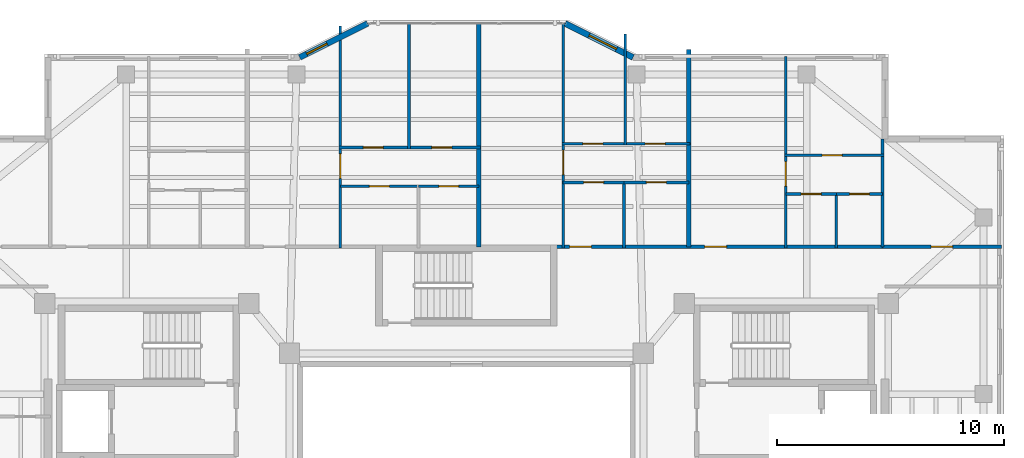
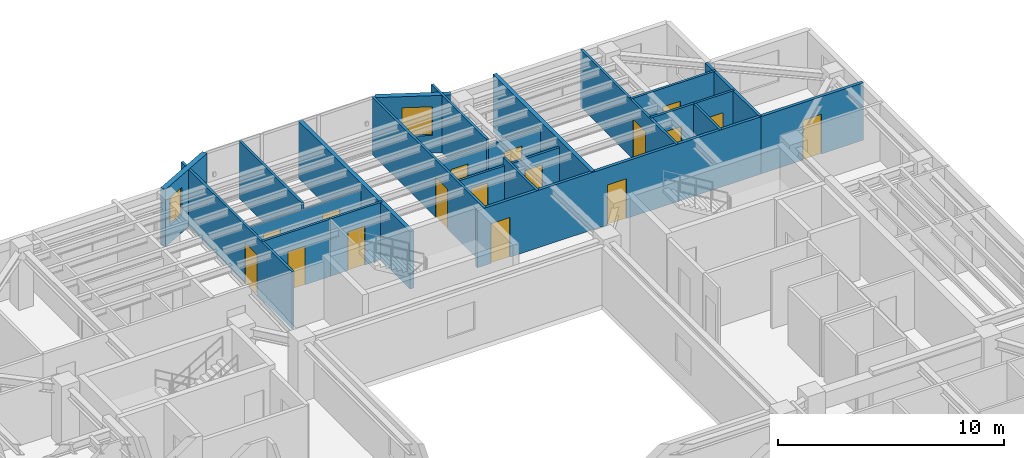
# One storey, part 8 of 12: 23 walls, 17 doors, 2 windows, 19 openings.
"""IFC4 building model written with IfcOpenShell, lengths in metres."""

import ifcopenshell
import ifcopenshell.guid

model = None  # the IFC model being written
_history = None  # IfcOwnerHistory: only IFC2X3 demands one
_inside = {}  # id of a spatial element -> (the spatial element, [elements in it])
_under = {}  # id of a project, library or spatial element -> (it, [spatial elements below it])
_declared = {}  # id of a project -> (the project, [libraries it declares])
_typed = {}  # id of a type object -> (the type object, [elements of that type])
_made_of = {}  # id of a material, layer set ... -> (it, [elements and type objects made of it])


def new_model(schema):
    """Start an empty IFC model of exactly this schema.

    Asked for "IFC4X3", IfcOpenShell would pick the latest addendum, in which some entities
    have other attributes; the version numbers below select the first issue.
    IFC2X3 requires an IfcOwnerHistory on every rooted entity: one is made here for all.
    """
    global model, _history
    if schema == "IFC4X3":
        model = ifcopenshell.file(schema_version=(4, 3, 0, 0))
    else:
        model = ifcopenshell.file(schema=schema)
    _inside.clear()
    _under.clear()
    _declared.clear()
    _typed.clear()
    _made_of.clear()
    _history = None
    if model.schema == "IFC2X3":
        org = make("IfcOrganization", Name="unknown")
        user = make(
            "IfcPersonAndOrganization",
            ThePerson=make("IfcPerson", FamilyName="unknown"),
            TheOrganization=org,
        )
        app = make(
            "IfcApplication",
            ApplicationDeveloper=org,
            Version="unknown",
            ApplicationFullName="unknown",
            ApplicationIdentifier="unknown",
        )
        _history = make(
            "IfcOwnerHistory",
            OwningUser=user,
            OwningApplication=app,
            ChangeAction="ADDED",
            CreationDate=0,
        )
    return model


def make(cls, **values):
    """One entity of the class cls with the attributes given. An attribute that is None is left unset."""
    return model.create_entity(
        cls, **{name: value for name, value in values.items() if value is not None}
    )


def rooted(cls, **values):
    """An entity with a GlobalId (a new one), such as an element, a storey or a relation."""
    return make(cls, GlobalId=ifcopenshell.guid.new(), OwnerHistory=_history, **values)


def si_unit(unit_type, name, prefix=None):
    """IfcSIUnit, for example si_unit("LENGTHUNIT", "METRE", prefix="MILLI")."""
    return make("IfcSIUnit", UnitType=unit_type, Prefix=prefix, Name=name)


def assignment(units):
    """IfcUnitAssignment: the units of a project."""
    return None if units is None else make("IfcUnitAssignment", Units=units)


def point(xyz):
    """IfcCartesianPoint."""
    return None if xyz is None else make("IfcCartesianPoint", Coordinates=xyz)


def direction(xyz):
    """IfcDirection."""
    return None if xyz is None else make("IfcDirection", DirectionRatios=xyz)


def frame(location, z_axis=None, x_axis=None):
    """IfcAxis2Placement3D, a coordinate frame: its origin and axes. An axis left out is left unset."""
    return make(
        "IfcAxis2Placement3D",
        Location=point(location),
        Axis=direction(z_axis),
        RefDirection=direction(x_axis),
    )


def frame_2d(location, x_axis=None):
    """IfcAxis2Placement2D, a coordinate frame in the plane: its origin and x axis."""
    return make(
        "IfcAxis2Placement2D", Location=point(location), RefDirection=direction(x_axis)
    )


def origin():
    """The frame at (0, 0, 0) with its axes left unset."""
    return frame((0.0, 0.0, 0.0))


def place(relative_to, where):
    """IfcLocalPlacement: puts the frame where relative to a parent placement (None: the world)."""
    return make(
        "IfcLocalPlacement", PlacementRelTo=relative_to, RelativePlacement=where
    )


def context(
    kind, dimensions, precision=None, world=None, true_north=None, identifier=None
):
    """IfcGeometricRepresentationContext, for example the 3D "Model" context."""
    return make(
        "IfcGeometricRepresentationContext",
        ContextIdentifier=identifier,
        ContextType=kind,
        CoordinateSpaceDimension=dimensions,
        Precision=precision,
        WorldCoordinateSystem=world,
        TrueNorth=true_north,
    )


def subcontext(parent, identifier, kind, view, scale=None):
    """IfcGeometricRepresentationSubContext, for example "Body" below "Model"."""
    return make(
        "IfcGeometricRepresentationSubContext",
        ContextIdentifier=identifier,
        ContextType=kind,
        ParentContext=parent,
        TargetScale=scale,
        TargetView=view,
    )


def project(units=None, contexts=None):
    """IfcProject with its units and contexts."""
    return rooted(
        "IfcProject",
        Name="project",
        RepresentationContexts=contexts,
        UnitsInContext=assignment(units),
    )


def spatial(cls, under=None, at=None, **own):
    """A site, building, storey or space (cls), placed at a placement, below another one or the project."""
    s = rooted(cls, ObjectPlacement=at, **own)
    if under is not None:
        _under.setdefault(under.id(), (under, []))[1].append(s)
    return s


def profile(cls, at=None, kind="AREA", **sizes):
    """A parametric profile (cls). Its sizes go by their IFC names, for example OverallWidth=200.0."""
    return make(cls, ProfileType=kind, Position=at, **sizes)


def rectangle(**sizes):
    """IfcRectangleProfileDef."""
    return profile("IfcRectangleProfileDef", **sizes)


def extrude(swept, where, along, depth):
    """IfcExtrudedAreaSolid: the profile swept, set in the frame where, extruded along a direction by depth."""
    return make(
        "IfcExtrudedAreaSolid",
        SweptArea=swept,
        Position=where,
        ExtrudedDirection=direction(along),
        Depth=depth,
    )


def shape(context_of_items, identifier, shape_type, items):
    """IfcShapeRepresentation: the items that make up one representation, for example the "Body"."""
    return make(
        "IfcShapeRepresentation",
        ContextOfItems=context_of_items,
        RepresentationIdentifier=identifier,
        RepresentationType=shape_type,
        Items=items,
    )


def material(Name=None, Category=None):
    """IfcMaterial."""
    return make("IfcMaterial", Name=Name, Category=Category)


def layer(
    of_material, thickness, ventilated=None, Name=None, Category=None, Priority=None
):
    """IfcMaterialLayer: one layer of a wall or slab, of a material (None: an air gap)."""
    return make(
        "IfcMaterialLayer",
        Material=of_material,
        LayerThickness=thickness,
        IsVentilated=ventilated,
        Name=Name,
        Category=Category,
        Priority=Priority,
    )


def layer_set(layers, Name=None):
    """IfcMaterialLayerSet."""
    return make("IfcMaterialLayerSet", MaterialLayers=layers, LayerSetName=Name)


def made_of(thing, what):
    """Note that an element or type object is made of a material, layer set ...; save() writes the relation."""
    if what is not None:
        _made_of.setdefault(what.id(), (what, []))[1].append(thing)
    return thing


def type_object(cls, material=None, **own):
    """A type object (cls), such as IfcWallType, which elements share."""
    return made_of(rooted(cls, **own), material)


def element(
    cls,
    number,
    at=None,
    inside=None,
    cuts=None,
    type_object=None,
    material=None,
    context=None,
    identifier="Body",
    shape_type=None,
    held_by="IfcProductDefinitionShape",
    body=None,
    shapes=None,
    **own,
):
    """One element of the class cls, such as IfcWall. Its Tag is "e" and its number.

    at: its placement. inside: the storey or other place that contains it. cuts: it is an
    opening in that element (IfcRelVoidsElement). A single representation is given by context,
    identifier, shape_type and body (its items); several are given by shapes. held_by: the class
    of the entity that holds the representations. save() writes the other relations.
    """
    e = rooted(cls, Tag="e%d" % number, ObjectPlacement=at, **own)
    if body is not None:
        shapes = [shape(context, identifier, shape_type, body)]
    if shapes is not None:
        e.Representation = make(held_by, Representations=shapes)
    if inside is not None:
        _inside.setdefault(inside.id(), (inside, []))[1].append(e)
    if cuts is not None:
        rooted(
            "IfcRelVoidsElement", RelatingBuildingElement=cuts, RelatedOpeningElement=e
        )
    if type_object is not None:
        _typed.setdefault(type_object.id(), (type_object, []))[1].append(e)
    return made_of(e, material)


def fill(opening, filler):
    """IfcRelFillsElement: the door or window that sits in an opening."""
    return rooted(
        "IfcRelFillsElement",
        RelatingOpeningElement=opening,
        RelatedBuildingElement=filler,
    )


def aggregate(whole, parts):
    """IfcRelAggregates: a whole, such as a stair, and the parts it consists of."""
    return rooted("IfcRelAggregates", RelatingObject=whole, RelatedObjects=parts)


def save(model, path):
    """Write the relations noted so far, then the file.

    IfcRelAggregates (storeys below a building ...), IfcRelContainedInSpatialStructure (elements
    in a storey), IfcRelDefinesByType, IfcRelAssociatesMaterial and IfcRelDeclares: one each for
    every whole, place, type object, material and project.
    """
    for whole, parts in _under.values():
        aggregate(whole, parts)
    for where, things in _inside.values():
        rooted(
            "IfcRelContainedInSpatialStructure",
            RelatedElements=things,
            RelatingStructure=where,
        )
    for kind, things in _typed.values():
        rooted("IfcRelDefinesByType", RelatedObjects=things, RelatingType=kind)
    for what, things in _made_of.values():
        rooted("IfcRelAssociatesMaterial", RelatedObjects=things, RelatingMaterial=what)
    for by, libraries in _declared.values():
        rooted("IfcRelDeclares", RelatingContext=by, RelatedDefinitions=libraries)
    model.write(path)


model = new_model("IFC4")

# Units and contexts
model_context = context("Model", 3, precision=1e-05, world=origin(), true_north=direction((0.0, 1.0)))
body_context = subcontext(model_context, "Body", "Model", "MODEL_VIEW")
ifc_project = project(units=[si_unit("LENGTHUNIT", "METRE"), si_unit("AREAUNIT", "SQUARE_METRE"), si_unit("VOLUMEUNIT", "CUBIC_METRE"), si_unit("PLANEANGLEUNIT", "RADIAN"), si_unit("MASSUNIT", "GRAM", prefix="KILO")], contexts=[model_context])

# Site, building, storey
site_placement = place(None, origin())
site = spatial("IfcSite", under=ifc_project, at=site_placement, CompositionType="ELEMENT")
building_placement = place(site_placement, origin())
building = spatial("IfcBuilding", under=site, at=building_placement, Name="Tarnavaz Court Tower", CompositionType="ELEMENT")
storey_placement = place(building_placement, frame((0.0, 0.0, 220.39990234375)))
storey = spatial("IfcBuildingStorey", under=building, at=storey_placement, Name="L60", CompositionType="ELEMENT", Elevation=220.39990234375)

# Wall, opening, window
ifc_material_1 = material(Name="Precast Concrete C40/50", Category="concrete")
ifc_layer_1 = layer(ifc_material_1, 0.260009765625)
ifc_layer_set_1 = layer_set([ifc_layer_1], Name="Precast Concrete C40/50")
wall_type_1 = type_object("IfcWallType", Name="WL-EXT-260", PredefinedType="SOLIDWALL", material=ifc_layer_set_1)
wall_1_placement = place(storey_placement, frame((-7.35009765625, 20.85009765625, 0.0), z_axis=(0.0, 0.0, 1.0), x_axis=(0.894427191, 0.4472135955, 0.0)))
wall_1 = element("IfcWall", 1, at=wall_1_placement, inside=storey, type_object=wall_type_1, Name="L60 Exterior Terracotta Facade Wall 06", PredefinedType="SOLIDWALL", context=body_context, shape_type="SweptSolid", body=[
    extrude(rectangle(XDim=3.35400390625, YDim=0.260009765625, at=frame_2d((1.677001953125, 0.0))), origin(), (0.0, 0.0, 1.0), 3.10009765625),
])
opening_1_placement = place(wall_1_placement, frame((0.345947265625, 0.0, 0.949951171875)))
opening_1 = element("IfcOpeningElement", 2, at=opening_1_placement, cuts=wall_1, Name="Opening W14", PredefinedType="OPENING", context=body_context, shape_type="SweptSolid", body=[
    extrude(rectangle(XDim=1.0, YDim=1.5, at=frame_2d((0.5, 0.75))), frame((0.0, 0.139892578125, 0.0), z_axis=(0.0, -1.0, 0.0), x_axis=(1.0, 0.0, 0.0)), (0.0, 0.0, 1.0), 0.280029296875),
])
ifc_material_2 = material(Name="Double-Glazed Solar Low-E Glass", Category="glass")
window_type_1 = type_object("IfcWindowType", Name="WN-APT-1000", PartitioningType="SINGLE_PANEL", PredefinedType="WINDOW", material=ifc_material_2)
window_1_placement = place(opening_1_placement, origin())
window_1 = element("IfcWindow", 3, at=window_1_placement, inside=storey, type_object=window_type_1, Name="L60 Flat 02 Living and Dining Room Window", OverallHeight=1.5, OverallWidth=1.0, PartitioningType="SINGLE_PANEL", PredefinedType="WINDOW", context=body_context, shape_type="SweptSolid", body=[
    extrude(rectangle(XDim=1.0, YDim=1.5, at=frame_2d((0.5, 0.75))), frame((0.0, 0.030029296875, 0.0), z_axis=(0.0, -1.0, 0.0), x_axis=(1.0, 0.0, 0.0)), (0.0, 0.0, 1.0), 0.06005859375),
])
fill(opening_1, window_1)

wall_2_placement = place(storey_placement, frame((4.35009765625, 22.35009765625, 0.0), z_axis=(0.0, 0.0, 1.0), x_axis=(0.894427191, -0.4472135955, 0.0)))
wall_2 = element("IfcWall", 4, at=wall_2_placement, inside=storey, type_object=wall_type_1, Name="L60 Exterior Terracotta Facade Wall 08", PredefinedType="SOLIDWALL", context=body_context, shape_type="SweptSolid", body=[
    extrude(rectangle(XDim=3.35400390625, YDim=0.260009765625, at=frame_2d((1.677001953125, 0.0))), origin(), (0.0, 0.0, 1.0), 3.10009765625),
])
opening_2_placement = place(wall_2_placement, frame((1.182373046875, 0.0, 0.949951171875)))
opening_2 = element("IfcOpeningElement", 5, at=opening_2_placement, cuts=wall_2, Name="Opening W04", PredefinedType="OPENING", context=body_context, shape_type="SweptSolid", body=[
    extrude(rectangle(XDim=1.35009765625, YDim=1.550048828125, at=frame_2d((0.675048828125, 0.77490234375))), frame((0.0, 0.139892578125, 0.0), z_axis=(0.0, -1.0, 0.0), x_axis=(1.0, 0.0, 0.0)), (0.0, 0.0, 1.0), 0.280029296875),
])
window_type_2 = type_object("IfcWindowType", Name="WN-APT-1350", PartitioningType="SINGLE_PANEL", PredefinedType="WINDOW", material=ifc_material_2)
window_2_placement = place(opening_2_placement, origin())
window_2 = element("IfcWindow", 6, at=window_2_placement, inside=storey, type_object=window_type_2, Name="L60 Flat 03 Principal Bedroom Window", OverallHeight=1.550048828125, OverallWidth=1.35009765625, PartitioningType="SINGLE_PANEL", PredefinedType="WINDOW", context=body_context, shape_type="SweptSolid", body=[
    extrude(rectangle(XDim=1.35009765625, YDim=1.550048828125, at=frame_2d((0.675048828125, 0.77490234375))), frame((0.0, 0.030029296875, 0.0), z_axis=(0.0, -1.0, 0.0), x_axis=(1.0, 0.0, 0.0)), (0.0, 0.0, 1.0), 0.06005859375),
])
fill(opening_2, window_2)

# Wall, openings, doors
ifc_material_3 = material(Name="Gypsum Fire-Board on Acoustic Metal Stud", Category="masonry")
ifc_layer_2 = layer(ifc_material_3, 0.14990234375)
ifc_layer_set_2 = layer_set([ifc_layer_2], Name="Gypsum Fire-Board on Acoustic Metal Stud")
wall_type_2 = type_object("IfcWallType", Name="WL-FIRE-150", PredefinedType="PARTITIONING", material=ifc_layer_set_2)
wall_3_placement = place(storey_placement, frame((3.85009765625, 12.5, 0.0), z_axis=(0.0, 0.0, 1.0), x_axis=(1.0, 0.0, 0.0)))
wall_3 = element("IfcWall", 7, at=wall_3_placement, inside=storey, type_object=wall_type_2, Name="L60 NE Wing Corridor Wall 056", PredefinedType="PARTITIONING", context=body_context, shape_type="SweptSolid", body=[
    extrude(rectangle(XDim=14.5, YDim=0.14990234375, at=frame_2d((7.25, 0.0))), origin(), (0.0, 0.0, 1.0), 3.10009765625),
])
opening_3_placement = place(wall_3_placement, frame((0.699951171875, 0.0, 0.0)))
opening_3 = element("IfcOpeningElement", 8, at=opening_3_placement, cuts=wall_3, Name="Opening D06", PredefinedType="OPENING", context=body_context, shape_type="SweptSolid", body=[
    extrude(rectangle(XDim=0.9599609375, YDim=2.14990234375, at=frame_2d((0.47998046875, 1.074951171875))), frame((0.0, 0.0849609375, 0.0), z_axis=(0.0, -1.0, 0.0), x_axis=(1.0, 0.0, 0.0)), (0.0, 0.0, 1.0), 0.169921875),
])
opening_4_placement = place(wall_3_placement, frame((6.656005859375, 0.0, 0.0)))
opening_4 = element("IfcOpeningElement", 9, at=opening_4_placement, cuts=wall_3, Name="Opening D06", PredefinedType="OPENING", context=body_context, shape_type="SweptSolid", body=[
    extrude(rectangle(XDim=0.9599609375, YDim=2.14990234375, at=frame_2d((0.47998046875, 1.074951171875))), frame((0.0, 0.0849609375, 0.0), z_axis=(0.0, -1.0, 0.0), x_axis=(1.0, 0.0, 0.0)), (0.0, 0.0, 1.0), 0.169921875),
])
ifc_material_4 = material(Name="Fire-Rated Hardwood Timber Core", Category="wood")
door_type_1 = type_object("IfcDoorType", Name="DR-FD60-950", OperationType="NOTDEFINED", PredefinedType="DOOR", material=ifc_material_4)
door_1_placement = place(opening_3_placement, origin())
door_1 = element("IfcDoor", 10, at=door_1_placement, inside=storey, type_object=door_type_1, Name="L60 Flat 03 Entrance Door", OperationType="SINGLE_SWING_RIGHT", OverallHeight=2.14990234375, OverallWidth=0.9599609375, PredefinedType="DOOR", context=body_context, shape_type="SweptSolid", body=[
    extrude(rectangle(XDim=0.9599609375, YDim=2.14990234375, at=frame_2d((0.47998046875, 1.074951171875))), frame((0.0, 0.02490234375, 0.0), z_axis=(0.0, -1.0, 0.0), x_axis=(1.0, 0.0, 0.0)), (0.0, 0.0, 1.0), 0.050048828125),
])
fill(opening_3, door_1)
door_2_placement = place(opening_4_placement, origin())
door_2 = element("IfcDoor", 11, at=door_2_placement, inside=storey, type_object=door_type_1, Name="L60 Flat 04 Entrance Door", OperationType="SINGLE_SWING_RIGHT", OverallHeight=2.14990234375, OverallWidth=0.9599609375, PredefinedType="DOOR", context=body_context, shape_type="SweptSolid", body=[
    extrude(rectangle(XDim=0.9599609375, YDim=2.14990234375, at=frame_2d((0.47998046875, 1.074951171875))), frame((0.0, 0.02490234375, 0.0), z_axis=(0.0, -1.0, 0.0), x_axis=(1.0, 0.0, 0.0)), (0.0, 0.0, 1.0), 0.050048828125),
])
fill(opening_4, door_2)

# Wall, opening, door
wall_4_placement = place(storey_placement, frame((18.35009765625, 12.5, 0.0), z_axis=(0.0, 0.0, 1.0), x_axis=(1.0, 0.0, 0.0)))
wall_4 = element("IfcWall", 12, at=wall_4_placement, inside=storey, type_object=wall_type_2, Name="L60 Interior Partition 109", PredefinedType="PARTITIONING", context=body_context, shape_type="SweptSolid", body=[
    extrude(rectangle(XDim=5.22998046875, YDim=0.14990234375, at=frame_2d((2.614990234375, 0.0))), origin(), (0.0, 0.0, 1.0), 3.10009765625),
])
opening_5_placement = place(wall_4_placement, frame((2.139892578125, 0.0, 0.0)))
opening_5 = element("IfcOpeningElement", 13, at=opening_5_placement, cuts=wall_4, Name="Opening D13", PredefinedType="OPENING", context=body_context, shape_type="SweptSolid", body=[
    extrude(rectangle(XDim=0.949951171875, YDim=2.14990234375, at=frame_2d((0.47509765625, 1.074951171875))), frame((0.0, 0.0849609375, 0.0), z_axis=(0.0, -1.0, 0.0), x_axis=(1.0, 0.0, 0.0)), (0.0, 0.0, 1.0), 0.169921875),
])
ifc_material_5 = material(Name="Engineered Oak Timber", Category="wood")
door_type_2 = type_object("IfcDoorType", Name="DR-INT-950", OperationType="NOTDEFINED", PredefinedType="DOOR", material=ifc_material_5)
door_3_placement = place(opening_5_placement, origin())
door_3 = element("IfcDoor", 14, at=door_3_placement, inside=storey, type_object=door_type_2, Name="L60 NE Sunroom Door", OperationType="SINGLE_SWING_RIGHT", OverallHeight=2.14990234375, OverallWidth=0.949951171875, PredefinedType="DOOR", context=body_context, shape_type="SweptSolid", body=[
    extrude(rectangle(XDim=0.949951171875, YDim=2.14990234375, at=frame_2d((0.47509765625, 1.074951171875))), frame((0.0, 0.02490234375, 0.0), z_axis=(0.0, -1.0, 0.0), x_axis=(1.0, 0.0, 0.0)), (0.0, 0.0, 1.0), 0.050048828125),
])
fill(opening_5, door_3)

# Walls
ifc_material_6 = material(Name="Autoclaved Aerated Concrete Blockwork", Category="masonry")
ifc_layer_3 = layer(ifc_material_6, 0.199951171875)
ifc_layer_set_3 = layer_set([ifc_layer_3], Name="Autoclaved Aerated Concrete Blockwork")
wall_type_3 = type_object("IfcWallType", Name="WL-FIRE-200", PredefinedType="SOLIDWALL", material=ifc_layer_set_3)
wall_5_placement = place(storey_placement, frame((0.550048828125, 12.5, 0.0), z_axis=(0.0, 0.0, 1.0), x_axis=(0.0, 1.0, 0.0)))
element("IfcWall", 15, at=wall_5_placement, inside=storey, type_object=wall_type_3, Name="L60 North Center Party Wall 061", PredefinedType="SOLIDWALL", context=body_context, shape_type="SweptSolid", body=[
    extrude(rectangle(XDim=9.8798828125, YDim=0.199951171875, at=frame_2d((4.93994140625, 0.0))), origin(), (0.0, 0.0, 1.0), 3.10009765625),
])
wall_6_placement = place(storey_placement, frame((9.805908203125, 12.5, 0.0), z_axis=(0.0, 0.0, 1.0), x_axis=(0.0, 1.0, 0.0)))
element("IfcWall", 16, at=wall_6_placement, inside=storey, type_object=wall_type_3, Name="L60 Party Wall 074", PredefinedType="SOLIDWALL", context=body_context, shape_type="SweptSolid", body=[
    extrude(rectangle(XDim=8.695068359375, YDim=0.199951171875, at=frame_2d((4.34765625, 0.0))), origin(), (0.0, 0.0, 1.0), 3.10009765625),
])

# Wall, opening, door
ifc_material_7 = material(Name="Moisture-Resistant Gypsum Board Partition", Category="masonry")
ifc_layer_4 = layer(ifc_material_7, 0.1201171875)
ifc_layer_set_4 = layer_set([ifc_layer_4], Name="Moisture-Resistant Gypsum Board Partition")
wall_type_4 = type_object("IfcWallType", Name="WL-PART-120", PredefinedType="PARTITIONING", material=ifc_layer_set_4)
wall_7_placement = place(storey_placement, frame((-5.56201171875, 12.43994140625, 0.0), z_axis=(0.0, 0.0, 1.0), x_axis=(0.0, 1.0, 0.0)))
wall_7 = element("IfcWall", 17, at=wall_7_placement, inside=storey, type_object=wall_type_4, Name="L60 Interior Partition 068", PredefinedType="PARTITIONING", context=body_context, shape_type="SweptSolid", body=[
    extrude(rectangle(XDim=9.801025390625, YDim=0.1201171875, at=frame_2d((4.900390625, 0.0))), origin(), (0.0, 0.0, 1.0), 3.10009765625),
])
opening_6_placement = place(wall_7_placement, frame((3.074951171875, 0.0, 0.0)))
opening_6 = element("IfcOpeningElement", 18, at=opening_6_placement, cuts=wall_7, Name="Opening D12", PredefinedType="OPENING", context=body_context, shape_type="SweptSolid", body=[
    extrude(rectangle(XDim=1.080078125, YDim=2.14990234375, at=frame_2d((0.5400390625, 1.074951171875))), frame((0.0, 0.070068359375, 0.0), z_axis=(0.0, -1.0, 0.0), x_axis=(1.0, 0.0, 0.0)), (0.0, 0.0, 1.0), 0.14013671875),
])
door_type_3 = type_object("IfcDoorType", Name="DR-INT-1100", OperationType="NOTDEFINED", PredefinedType="DOOR", material=ifc_material_5)
door_4_placement = place(opening_6_placement, origin())
door_4 = element("IfcDoor", 19, at=door_4_placement, inside=storey, type_object=door_type_3, Name="L60 Flat 02 Foyer Door", OperationType="SINGLE_SWING_LEFT", OverallHeight=2.14990234375, OverallWidth=1.080078125, PredefinedType="DOOR", context=body_context, shape_type="SweptSolid", body=[
    extrude(rectangle(XDim=1.080078125, YDim=2.14990234375, at=frame_2d((0.5400390625, 1.074951171875))), frame((0.0, 0.02490234375, 0.0), z_axis=(0.0, -1.0, 0.0), x_axis=(1.0, 0.0, 0.0)), (0.0, 0.0, 1.0), 0.050048828125),
])
fill(opening_6, door_4)

wall_8_placement = place(storey_placement, frame((-5.56201171875, 15.169921875, 0.0), z_axis=(0.0, 0.0, 1.0), x_axis=(1.0, 0.0, 0.0)))
wall_8 = element("IfcWall", 20, at=wall_8_placement, inside=storey, type_object=wall_type_4, Name="L60 Interior Partition 069", PredefinedType="PARTITIONING", context=body_context, shape_type="SweptSolid", body=[
    extrude(rectangle(XDim=3.449951171875, YDim=0.1201171875, at=frame_2d((1.72509765625, 0.0))), origin(), (0.0, 0.0, 1.0), 3.10009765625),
])
opening_7_placement = place(wall_8_placement, frame((1.284912109375, 0.0, 0.0)))
opening_7 = element("IfcOpeningElement", 21, at=opening_7_placement, cuts=wall_8, Name="Opening D14", PredefinedType="OPENING", context=body_context, shape_type="SweptSolid", body=[
    extrude(rectangle(XDim=0.8798828125, YDim=2.10009765625, at=frame_2d((0.43994140625, 1.050048828125))), frame((0.0, 0.070068359375, 0.0), z_axis=(0.0, -1.0, 0.0), x_axis=(1.0, 0.0, 0.0)), (0.0, 0.0, 1.0), 0.14013671875),
])
door_type_4 = type_object("IfcDoorType", Name="DR-INT-900", OperationType="NOTDEFINED", PredefinedType="DOOR", material=ifc_material_5)
door_5_placement = place(opening_7_placement, origin())
door_5 = element("IfcDoor", 22, at=door_5_placement, inside=storey, type_object=door_type_4, Name="L60 Flat 02 Kitchen Door", OperationType="SINGLE_SWING_RIGHT", OverallHeight=2.10009765625, OverallWidth=0.8798828125, PredefinedType="DOOR", context=body_context, shape_type="SweptSolid", body=[
    extrude(rectangle(XDim=0.8798828125, YDim=2.10009765625, at=frame_2d((0.43994140625, 1.050048828125))), frame((0.0, 0.02490234375, 0.0), z_axis=(0.0, -1.0, 0.0), x_axis=(1.0, 0.0, 0.0)), (0.0, 0.0, 1.0), 0.050048828125),
])
fill(opening_7, door_5)

wall_9_placement = place(storey_placement, frame((-2.112060546875, 15.169921875, 0.0), z_axis=(0.0, 0.0, 1.0), x_axis=(1.0, 0.0, 0.0)))
wall_9 = element("IfcWall", 23, at=wall_9_placement, inside=storey, type_object=wall_type_4, Name="L60 Interior Partition 070", PredefinedType="PARTITIONING", context=body_context, shape_type="SweptSolid", body=[
    extrude(rectangle(XDim=2.662109375, YDim=0.1201171875, at=frame_2d((1.3310546875, 0.0))), origin(), (0.0, 0.0, 1.0), 3.10009765625),
])
opening_8_placement = place(wall_9_placement, frame((0.89111328125, 0.0, 0.0)))
opening_8 = element("IfcOpeningElement", 24, at=opening_8_placement, cuts=wall_9, Name="Opening D14", PredefinedType="OPENING", context=body_context, shape_type="SweptSolid", body=[
    extrude(rectangle(XDim=0.8798828125, YDim=2.10009765625, at=frame_2d((0.43994140625, 1.050048828125))), frame((0.0, 0.070068359375, 0.0), z_axis=(0.0, -1.0, 0.0), x_axis=(1.0, 0.0, 0.0)), (0.0, 0.0, 1.0), 0.14013671875),
])
door_6_placement = place(opening_8_placement, origin())
door_6 = element("IfcDoor", 25, at=door_6_placement, inside=storey, type_object=door_type_4, Name="L60 Flat 02 Bathroom Door", OperationType="SINGLE_SWING_LEFT", OverallHeight=2.10009765625, OverallWidth=0.8798828125, PredefinedType="DOOR", context=body_context, shape_type="SweptSolid", body=[
    extrude(rectangle(XDim=0.8798828125, YDim=2.10009765625, at=frame_2d((0.43994140625, 1.050048828125))), frame((0.0, 0.02490234375, 0.0), z_axis=(0.0, -1.0, 0.0), x_axis=(1.0, 0.0, 0.0)), (0.0, 0.0, 1.0), 0.050048828125),
])
fill(opening_8, door_6)

# Wall, openings, doors
wall_10_placement = place(storey_placement, frame((-5.6220703125, 16.8798828125, 0.0), z_axis=(0.0, 0.0, 1.0), x_axis=(1.0, 0.0, 0.0)))
wall_10 = element("IfcWall", 26, at=wall_10_placement, inside=storey, type_object=wall_type_4, Name="L60 Interior Partition 071", PredefinedType="PARTITIONING", context=body_context, shape_type="SweptSolid", body=[
    extrude(rectangle(XDim=6.232177734375, YDim=0.1201171875, at=frame_2d((3.1162109375, 0.0))), origin(), (0.0, 0.0, 1.0), 2.72509765625),
])
opening_9_placement = place(wall_10_placement, frame((1.072998046875, 0.0, 0.0)))
opening_9 = element("IfcOpeningElement", 27, at=opening_9_placement, cuts=wall_10, Name="Opening D14", PredefinedType="OPENING", context=body_context, shape_type="SweptSolid", body=[
    extrude(rectangle(XDim=0.8798828125, YDim=2.10009765625, at=frame_2d((0.43994140625, 1.050048828125))), frame((0.0, 0.070068359375, 0.0), z_axis=(0.0, -1.0, 0.0), x_axis=(1.0, 0.0, 0.0)), (0.0, 0.0, 1.0), 0.14013671875),
])
opening_10_placement = place(wall_10_placement, frame((4.09912109375, 0.0, 0.0)))
opening_10 = element("IfcOpeningElement", 28, at=opening_10_placement, cuts=wall_10, Name="Opening D14", PredefinedType="OPENING", context=body_context, shape_type="SweptSolid", body=[
    extrude(rectangle(XDim=0.8798828125, YDim=2.10009765625, at=frame_2d((0.43994140625, 1.050048828125))), frame((0.0, 0.070068359375, 0.0), z_axis=(0.0, -1.0, 0.0), x_axis=(1.0, 0.0, 0.0)), (0.0, 0.0, 1.0), 0.14013671875),
])
door_7_placement = place(opening_9_placement, origin())
door_7 = element("IfcDoor", 29, at=door_7_placement, inside=storey, type_object=door_type_4, Name="L60 Flat 02 Bedroom 1 Door", OperationType="SINGLE_SWING_RIGHT", OverallHeight=2.10009765625, OverallWidth=0.8798828125, PredefinedType="DOOR", context=body_context, shape_type="SweptSolid", body=[
    extrude(rectangle(XDim=0.8798828125, YDim=2.10009765625, at=frame_2d((0.43994140625, 1.050048828125))), frame((0.0, 0.02490234375, 0.0), z_axis=(0.0, -1.0, 0.0), x_axis=(1.0, 0.0, 0.0)), (0.0, 0.0, 1.0), 0.050048828125),
])
fill(opening_9, door_7)
door_8_placement = place(opening_10_placement, origin())
door_8 = element("IfcDoor", 30, at=door_8_placement, inside=storey, type_object=door_type_4, Name="L60 Flat 02 Bedroom 2 Door", OperationType="SINGLE_SWING_LEFT", OverallHeight=2.10009765625, OverallWidth=0.8798828125, PredefinedType="DOOR", context=body_context, shape_type="SweptSolid", body=[
    extrude(rectangle(XDim=0.8798828125, YDim=2.10009765625, at=frame_2d((0.43994140625, 1.050048828125))), frame((0.0, 0.02490234375, 0.0), z_axis=(0.0, -1.0, 0.0), x_axis=(1.0, 0.0, 0.0)), (0.0, 0.0, 1.0), 0.050048828125),
])
fill(opening_10, door_8)

# Wall
wall_11_placement = place(storey_placement, frame((-2.535888671875, 16.820068359375, 0.0), z_axis=(0.0, 0.0, 1.0), x_axis=(0.0, 1.0, 0.0)))
element("IfcWall", 31, at=wall_11_placement, inside=storey, type_object=wall_type_4, Name="L60 Interior Partition 073", PredefinedType="PARTITIONING", context=body_context, shape_type="SweptSolid", body=[
    extrude(rectangle(XDim=5.559814453125, YDim=0.1201171875, at=frame_2d((2.77978515625, 0.0))), origin(), (0.0, 0.0, 1.0), 3.10009765625),
])

# Wall, opening, door
wall_12_placement = place(storey_placement, frame((4.263916015625, 12.43994140625, 0.0), z_axis=(0.0, 0.0, 1.0), x_axis=(0.0, 1.0, 0.0)))
wall_12 = element("IfcWall", 32, at=wall_12_placement, inside=storey, type_object=wall_type_4, Name="L60 Interior Partition 075", PredefinedType="PARTITIONING", context=body_context, shape_type="SweptSolid", body=[
    extrude(rectangle(XDim=9.93994140625, YDim=0.1201171875, at=frame_2d((4.969970703125, 0.0))), origin(), (0.0, 0.0, 1.0), 3.10009765625),
])
opening_11_placement = place(wall_12_placement, frame((3.2451171875, 0.0, 0.0)))
opening_11 = element("IfcOpeningElement", 33, at=opening_11_placement, cuts=wall_12, Name="Opening D12", PredefinedType="OPENING", context=body_context, shape_type="SweptSolid", body=[
    extrude(rectangle(XDim=1.080078125, YDim=2.14990234375, at=frame_2d((0.5400390625, 1.074951171875))), frame((0.0, 0.070068359375, 0.0), z_axis=(0.0, -1.0, 0.0), x_axis=(1.0, 0.0, 0.0)), (0.0, 0.0, 1.0), 0.14013671875),
])
door_9_placement = place(opening_11_placement, origin())
door_9 = element("IfcDoor", 34, at=door_9_placement, inside=storey, type_object=door_type_3, Name="L60 Flat 03 Foyer Door", OperationType="SINGLE_SWING_LEFT", OverallHeight=2.14990234375, OverallWidth=1.080078125, PredefinedType="DOOR", context=body_context, shape_type="SweptSolid", body=[
    extrude(rectangle(XDim=1.080078125, YDim=2.14990234375, at=frame_2d((0.5400390625, 1.074951171875))), frame((0.0, 0.02490234375, 0.0), z_axis=(0.0, -1.0, 0.0), x_axis=(1.0, 0.0, 0.0)), (0.0, 0.0, 1.0), 0.050048828125),
])
fill(opening_11, door_9)

wall_13_placement = place(storey_placement, frame((4.263916015625, 15.340087890625, 0.0), z_axis=(0.0, 0.0, 1.0), x_axis=(1.0, 0.0, 0.0)))
wall_13 = element("IfcWall", 35, at=wall_13_placement, inside=storey, type_object=wall_type_4, Name="L60 Interior Partition 076", PredefinedType="PARTITIONING", context=body_context, shape_type="SweptSolid", body=[
    extrude(rectangle(XDim=2.68603515625, YDim=0.1201171875, at=frame_2d((1.343017578125, 0.0))), origin(), (0.0, 0.0, 1.0), 2.72509765625),
])
opening_12_placement = place(wall_13_placement, frame((0.903076171875, 0.0, 0.0)))
opening_12 = element("IfcOpeningElement", 36, at=opening_12_placement, cuts=wall_13, Name="Opening D14", PredefinedType="OPENING", context=body_context, shape_type="SweptSolid", body=[
    extrude(rectangle(XDim=0.8798828125, YDim=2.10009765625, at=frame_2d((0.43994140625, 1.050048828125))), frame((0.0, 0.070068359375, 0.0), z_axis=(0.0, -1.0, 0.0), x_axis=(1.0, 0.0, 0.0)), (0.0, 0.0, 1.0), 0.14013671875),
])
door_10_placement = place(opening_12_placement, origin())
door_10 = element("IfcDoor", 37, at=door_10_placement, inside=storey, type_object=door_type_4, Name="L60 Flat 03 Kitchen Door", OperationType="SINGLE_SWING_RIGHT", OverallHeight=2.10009765625, OverallWidth=0.8798828125, PredefinedType="DOOR", context=body_context, shape_type="SweptSolid", body=[
    extrude(rectangle(XDim=0.8798828125, YDim=2.10009765625, at=frame_2d((0.43994140625, 1.050048828125))), frame((0.0, 0.02490234375, 0.0), z_axis=(0.0, -1.0, 0.0), x_axis=(1.0, 0.0, 0.0)), (0.0, 0.0, 1.0), 0.050048828125),
])
fill(opening_12, door_10)

wall_14_placement = place(storey_placement, frame((6.949951171875, 15.340087890625, 0.0), z_axis=(0.0, 0.0, 1.0), x_axis=(1.0, 0.0, 0.0)))
wall_14 = element("IfcWall", 38, at=wall_14_placement, inside=storey, type_object=wall_type_4, Name="L60 Interior Partition 077", PredefinedType="PARTITIONING", context=body_context, shape_type="SweptSolid", body=[
    extrude(rectangle(XDim=2.85595703125, YDim=0.1201171875, at=frame_2d((1.427978515625, 0.0))), origin(), (0.0, 0.0, 1.0), 2.72509765625),
])
opening_13_placement = place(wall_14_placement, frame((0.988037109375, 0.0, 0.0)))
opening_13 = element("IfcOpeningElement", 39, at=opening_13_placement, cuts=wall_14, Name="Opening D14", PredefinedType="OPENING", context=body_context, shape_type="SweptSolid", body=[
    extrude(rectangle(XDim=0.8798828125, YDim=2.10009765625, at=frame_2d((0.43994140625, 1.050048828125))), frame((0.0, 0.070068359375, 0.0), z_axis=(0.0, -1.0, 0.0), x_axis=(1.0, 0.0, 0.0)), (0.0, 0.0, 1.0), 0.14013671875),
])
door_11_placement = place(opening_13_placement, origin())
door_11 = element("IfcDoor", 40, at=door_11_placement, inside=storey, type_object=door_type_4, Name="L60 Flat 03 Bathroom Door", OperationType="SINGLE_SWING_LEFT", OverallHeight=2.10009765625, OverallWidth=0.8798828125, PredefinedType="DOOR", context=body_context, shape_type="SweptSolid", body=[
    extrude(rectangle(XDim=0.8798828125, YDim=2.10009765625, at=frame_2d((0.43994140625, 1.050048828125))), frame((0.0, 0.02490234375, 0.0), z_axis=(0.0, -1.0, 0.0), x_axis=(1.0, 0.0, 0.0)), (0.0, 0.0, 1.0), 0.050048828125),
])
fill(opening_13, door_11)

# Wall, openings, doors
wall_15_placement = place(storey_placement, frame((4.2041015625, 17.050048828125, 0.0), z_axis=(0.0, 0.0, 1.0), x_axis=(1.0, 0.0, 0.0)))
wall_15 = element("IfcWall", 41, at=wall_15_placement, inside=storey, type_object=wall_type_4, Name="L60 Interior Partition 078", PredefinedType="PARTITIONING", context=body_context, shape_type="SweptSolid", body=[
    extrude(rectangle(XDim=5.661865234375, YDim=0.1201171875, at=frame_2d((2.8310546875, 0.0))), origin(), (0.0, 0.0, 1.0), 2.72509765625),
])
opening_14_placement = place(wall_15_placement, frame((0.929931640625, 0.0, 0.0)))
opening_14 = element("IfcOpeningElement", 42, at=opening_14_placement, cuts=wall_15, Name="Opening D14", PredefinedType="OPENING", context=body_context, shape_type="SweptSolid", body=[
    extrude(rectangle(XDim=0.8798828125, YDim=2.10009765625, at=frame_2d((0.43994140625, 1.050048828125))), frame((0.0, 0.070068359375, 0.0), z_axis=(0.0, -1.0, 0.0), x_axis=(1.0, 0.0, 0.0)), (0.0, 0.0, 1.0), 0.14013671875),
])
opening_15_placement = place(wall_15_placement, frame((3.6708984375, 0.0, 0.0)))
opening_15 = element("IfcOpeningElement", 43, at=opening_15_placement, cuts=wall_15, Name="Opening D14", PredefinedType="OPENING", context=body_context, shape_type="SweptSolid", body=[
    extrude(rectangle(XDim=0.8798828125, YDim=2.10009765625, at=frame_2d((0.43994140625, 1.050048828125))), frame((0.0, 0.070068359375, 0.0), z_axis=(0.0, -1.0, 0.0), x_axis=(1.0, 0.0, 0.0)), (0.0, 0.0, 1.0), 0.14013671875),
])
door_12_placement = place(opening_14_placement, origin())
door_12 = element("IfcDoor", 44, at=door_12_placement, inside=storey, type_object=door_type_4, Name="L60 Flat 03 Bedroom 1 Door", OperationType="SINGLE_SWING_RIGHT", OverallHeight=2.10009765625, OverallWidth=0.8798828125, PredefinedType="DOOR", context=body_context, shape_type="SweptSolid", body=[
    extrude(rectangle(XDim=0.8798828125, YDim=2.10009765625, at=frame_2d((0.43994140625, 1.050048828125))), frame((0.0, 0.02490234375, 0.0), z_axis=(0.0, -1.0, 0.0), x_axis=(1.0, 0.0, 0.0)), (0.0, 0.0, 1.0), 0.050048828125),
])
fill(opening_14, door_12)
door_13_placement = place(opening_15_placement, origin())
door_13 = element("IfcDoor", 45, at=door_13_placement, inside=storey, type_object=door_type_4, Name="L60 Flat 03 Bedroom 2 Door", OperationType="SINGLE_SWING_LEFT", OverallHeight=2.10009765625, OverallWidth=0.8798828125, PredefinedType="DOOR", context=body_context, shape_type="SweptSolid", body=[
    extrude(rectangle(XDim=0.8798828125, YDim=2.10009765625, at=frame_2d((0.43994140625, 1.050048828125))), frame((0.0, 0.02490234375, 0.0), z_axis=(0.0, -1.0, 0.0), x_axis=(1.0, 0.0, 0.0)), (0.0, 0.0, 1.0), 0.050048828125),
])
fill(opening_15, door_13)

# Walls
wall_16_placement = place(storey_placement, frame((6.949951171875, 12.43994140625, 0.0), z_axis=(0.0, 0.0, 1.0), x_axis=(0.0, 1.0, 0.0)))
element("IfcWall", 46, at=wall_16_placement, inside=storey, type_object=wall_type_4, Name="L60 Interior Partition 079", PredefinedType="PARTITIONING", context=body_context, shape_type="SweptSolid", body=[
    extrude(rectangle(XDim=2.9599609375, YDim=0.1201171875, at=frame_2d((1.47998046875, 0.0))), origin(), (0.0, 0.0, 1.0), 3.10009765625),
])
wall_17_placement = place(storey_placement, frame((7.0048828125, 16.989990234375, 0.0), z_axis=(0.0, 0.0, 1.0), x_axis=(0.0, 1.0, 0.0)))
element("IfcWall", 47, at=wall_17_placement, inside=storey, type_object=wall_type_4, Name="L60 Interior Partition 080", PredefinedType="PARTITIONING", context=body_context, shape_type="SweptSolid", body=[
    extrude(rectangle(XDim=4.89501953125, YDim=0.1201171875, at=frame_2d((2.447509765625, 0.0))), origin(), (0.0, 0.0, 1.0), 3.10009765625),
])

# Wall, opening, door
wall_18_placement = place(storey_placement, frame((14.077880859375, 12.43994140625, 0.0), z_axis=(0.0, 0.0, 1.0), x_axis=(0.0, 1.0, 0.0)))
wall_18 = element("IfcWall", 48, at=wall_18_placement, inside=storey, type_object=wall_type_4, Name="L60 Interior Partition 081", PredefinedType="PARTITIONING", context=body_context, shape_type="SweptSolid", body=[
    extrude(rectangle(XDim=8.4599609375, YDim=0.1201171875, at=frame_2d((4.22998046875, 0.0))), origin(), (0.0, 0.0, 1.0), 3.10009765625),
])
opening_16_placement = place(wall_18_placement, frame((2.735107421875, 0.0, 0.0)))
opening_16 = element("IfcOpeningElement", 49, at=opening_16_placement, cuts=wall_18, Name="Opening D12", PredefinedType="OPENING", context=body_context, shape_type="SweptSolid", body=[
    extrude(rectangle(XDim=1.080078125, YDim=2.14990234375, at=frame_2d((0.5400390625, 1.074951171875))), frame((0.0, 0.070068359375, 0.0), z_axis=(0.0, -1.0, 0.0), x_axis=(1.0, 0.0, 0.0)), (0.0, 0.0, 1.0), 0.14013671875),
])
door_14_placement = place(opening_16_placement, origin())
door_14 = element("IfcDoor", 50, at=door_14_placement, inside=storey, type_object=door_type_3, Name="L60 Flat 04 Foyer Door", OperationType="SINGLE_SWING_LEFT", OverallHeight=2.14990234375, OverallWidth=1.080078125, PredefinedType="DOOR", context=body_context, shape_type="SweptSolid", body=[
    extrude(rectangle(XDim=1.080078125, YDim=2.14990234375, at=frame_2d((0.5400390625, 1.074951171875))), frame((0.0, 0.02490234375, 0.0), z_axis=(0.0, -1.0, 0.0), x_axis=(1.0, 0.0, 0.0)), (0.0, 0.0, 1.0), 0.050048828125),
])
fill(opening_16, door_14)

wall_19_placement = place(storey_placement, frame((14.077880859375, 14.830078125, 0.0), z_axis=(0.0, 0.0, 1.0), x_axis=(1.0, 0.0, 0.0)))
wall_19 = element("IfcWall", 51, at=wall_19_placement, inside=storey, type_object=wall_type_4, Name="L60 Interior Partition 082", PredefinedType="PARTITIONING", context=body_context, shape_type="SweptSolid", body=[
    extrude(rectangle(XDim=2.232177734375, YDim=0.1201171875, at=frame_2d((1.1162109375, 0.0))), origin(), (0.0, 0.0, 1.0), 3.10009765625),
])
opening_17_placement = place(wall_19_placement, frame((0.676025390625, 0.0, 0.0)))
opening_17 = element("IfcOpeningElement", 52, at=opening_17_placement, cuts=wall_19, Name="Opening D14", PredefinedType="OPENING", context=body_context, shape_type="SweptSolid", body=[
    extrude(rectangle(XDim=0.8798828125, YDim=2.10009765625, at=frame_2d((0.43994140625, 1.050048828125))), frame((0.0, 0.070068359375, 0.0), z_axis=(0.0, -1.0, 0.0), x_axis=(1.0, 0.0, 0.0)), (0.0, 0.0, 1.0), 0.14013671875),
])
door_15_placement = place(opening_17_placement, origin())
door_15 = element("IfcDoor", 53, at=door_15_placement, inside=storey, type_object=door_type_4, Name="L60 Flat 04 Kitchen Door", OperationType="SINGLE_SWING_RIGHT", OverallHeight=2.10009765625, OverallWidth=0.8798828125, PredefinedType="DOOR", context=body_context, shape_type="SweptSolid", body=[
    extrude(rectangle(XDim=0.8798828125, YDim=2.10009765625, at=frame_2d((0.43994140625, 1.050048828125))), frame((0.0, 0.02490234375, 0.0), z_axis=(0.0, -1.0, 0.0), x_axis=(1.0, 0.0, 0.0)), (0.0, 0.0, 1.0), 0.050048828125),
])
fill(opening_17, door_15)

wall_20_placement = place(storey_placement, frame((16.31005859375, 14.830078125, 0.0), z_axis=(0.0, 0.0, 1.0), x_axis=(1.0, 0.0, 0.0)))
wall_20 = element("IfcWall", 54, at=wall_20_placement, inside=storey, type_object=wall_type_4, Name="L60 Interior Partition 083", PredefinedType="PARTITIONING", context=body_context, shape_type="SweptSolid", body=[
    extrude(rectangle(XDim=2.0400390625, YDim=0.1201171875, at=frame_2d((1.02001953125, 0.0))), origin(), (0.0, 0.0, 1.0), 3.10009765625),
])
opening_18_placement = place(wall_20_placement, frame((0.580078125, 0.0, 0.0)))
opening_18 = element("IfcOpeningElement", 55, at=opening_18_placement, cuts=wall_20, Name="Opening D14", PredefinedType="OPENING", context=body_context, shape_type="SweptSolid", body=[
    extrude(rectangle(XDim=0.8798828125, YDim=2.10009765625, at=frame_2d((0.43994140625, 1.050048828125))), frame((0.0, 0.070068359375, 0.0), z_axis=(0.0, -1.0, 0.0), x_axis=(1.0, 0.0, 0.0)), (0.0, 0.0, 1.0), 0.14013671875),
])
door_16_placement = place(opening_18_placement, origin())
door_16 = element("IfcDoor", 56, at=door_16_placement, inside=storey, type_object=door_type_4, Name="L60 Flat 04 Bathroom Door", OperationType="SINGLE_SWING_LEFT", OverallHeight=2.10009765625, OverallWidth=0.8798828125, PredefinedType="DOOR", context=body_context, shape_type="SweptSolid", body=[
    extrude(rectangle(XDim=0.8798828125, YDim=2.10009765625, at=frame_2d((0.43994140625, 1.050048828125))), frame((0.0, 0.02490234375, 0.0), z_axis=(0.0, -1.0, 0.0), x_axis=(1.0, 0.0, 0.0)), (0.0, 0.0, 1.0), 0.050048828125),
])
fill(opening_18, door_16)

wall_21_placement = place(storey_placement, frame((14.01806640625, 16.5400390625, 0.0), z_axis=(0.0, 0.0, 1.0), x_axis=(1.0, 0.0, 0.0)))
wall_21 = element("IfcWall", 57, at=wall_21_placement, inside=storey, type_object=wall_type_4, Name="L60 Interior Partition 084", PredefinedType="PARTITIONING", context=body_context, shape_type="SweptSolid", body=[
    extrude(rectangle(XDim=4.391845703125, YDim=0.1201171875, at=frame_2d((2.19580078125, 0.0))), origin(), (0.0, 0.0, 1.0), 3.10009765625),
])
opening_19_placement = place(wall_21_placement, frame((1.666015625, 0.0, 0.0)))
opening_19 = element("IfcOpeningElement", 58, at=opening_19_placement, cuts=wall_21, Name="Opening D14", PredefinedType="OPENING", context=body_context, shape_type="SweptSolid", body=[
    extrude(rectangle(XDim=0.8798828125, YDim=2.10009765625, at=frame_2d((0.43994140625, 1.050048828125))), frame((0.0, 0.070068359375, 0.0), z_axis=(0.0, -1.0, 0.0), x_axis=(1.0, 0.0, 0.0)), (0.0, 0.0, 1.0), 0.14013671875),
])
door_17_placement = place(opening_19_placement, origin())
door_17 = element("IfcDoor", 59, at=door_17_placement, inside=storey, type_object=door_type_4, Name="L60 Flat 04 Bedroom 1 Door", OperationType="SINGLE_SWING_RIGHT", OverallHeight=2.10009765625, OverallWidth=0.8798828125, PredefinedType="DOOR", context=body_context, shape_type="SweptSolid", body=[
    extrude(rectangle(XDim=0.8798828125, YDim=2.10009765625, at=frame_2d((0.43994140625, 1.050048828125))), frame((0.0, 0.02490234375, 0.0), z_axis=(0.0, -1.0, 0.0), x_axis=(1.0, 0.0, 0.0)), (0.0, 0.0, 1.0), 0.050048828125),
])
fill(opening_19, door_17)

# Walls
wall_22_placement = place(storey_placement, frame((16.31005859375, 12.43994140625, 0.0), z_axis=(0.0, 0.0, 1.0), x_axis=(0.0, 1.0, 0.0)))
element("IfcWall", 60, at=wall_22_placement, inside=storey, type_object=wall_type_4, Name="L60 Interior Partition 085", PredefinedType="PARTITIONING", context=body_context, shape_type="SweptSolid", body=[
    extrude(rectangle(XDim=2.449951171875, YDim=0.1201171875, at=frame_2d((1.22509765625, 0.0))), origin(), (0.0, 0.0, 1.0), 3.10009765625),
])
ifc_material_8 = material(Name="Gypsum Plasterboard Acoustic Partition", Category="masonry")
ifc_layer_5 = layer(ifc_material_8, 0.139892578125)
ifc_layer_set_5 = layer_set([ifc_layer_5], Name="Gypsum Plasterboard Acoustic Partition")
wall_type_5 = type_object("IfcWallType", Name="WL-PART-150", PredefinedType="PARTITIONING", material=ifc_layer_set_5)
wall_23_placement = place(storey_placement, frame((18.35009765625, 12.5, 0.0), z_axis=(0.0, 0.0, 1.0), x_axis=(0.0, 1.0, 0.0)))
element("IfcWall", 61, at=wall_23_placement, inside=storey, type_object=wall_type_5, Name="L60 Interior Partition 107", PredefinedType="PARTITIONING", context=body_context, shape_type="SweptSolid", body=[
    extrude(rectangle(XDim=4.75, YDim=0.139892578125, at=frame_2d((2.375, 0.0))), origin(), (0.0, 0.0, 1.0), 3.10009765625),
])

save(model, "model.ifc")
